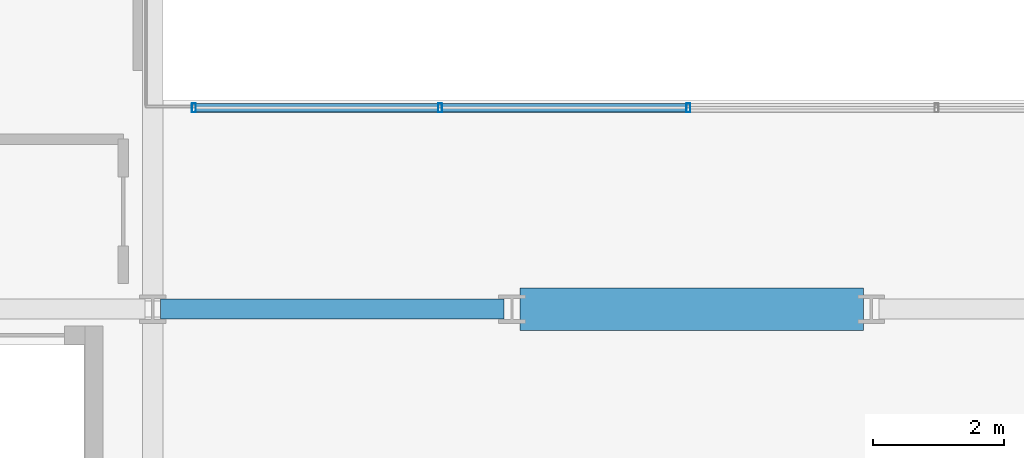
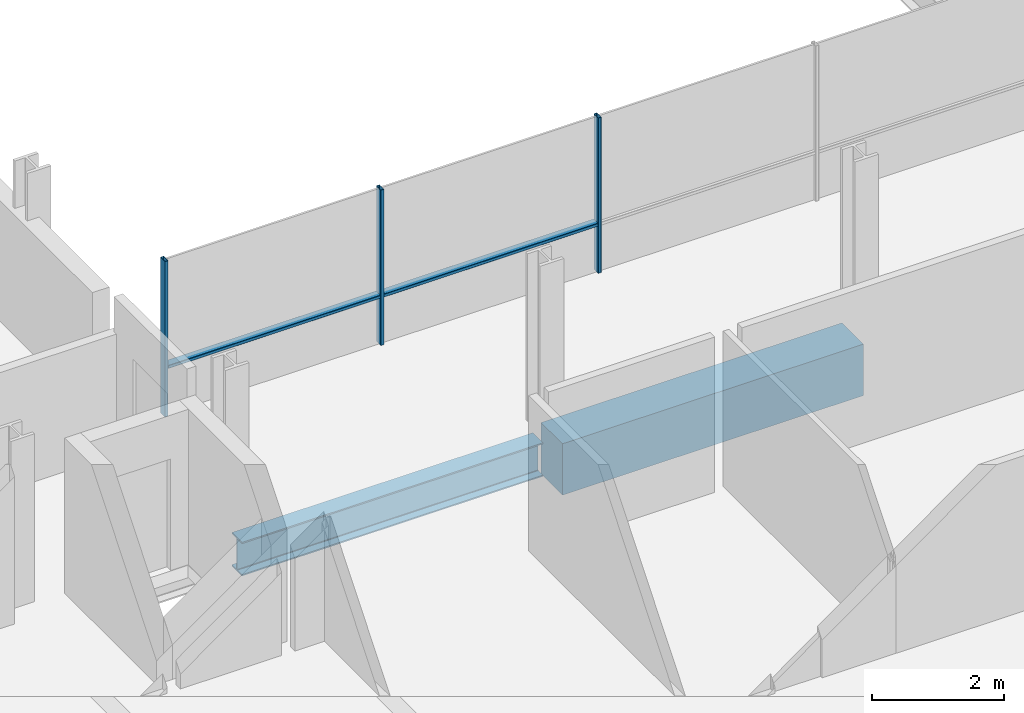
# One storey, part 4 of 39: 5 members, 2 beams, 1 element without a shape of its own.
"""IFC4 building model written with IfcOpenShell, lengths in metres."""

from ifc_helpers import new_model, si_unit, direction, frame, origin, origin_2d, place, context, subcontext, project, spatial, rectangle, hollow_rectangle, i_section, extrude, material, layer, layer_set, material_profile, profile_set, type_object, element, aggregate, save


model = new_model("IFC4")

# Units and contexts
model_context = context("Model", 3, precision=1e-05, world=origin(), true_north=direction((0.0, 1.0)))
body_context = subcontext(model_context, "Body", "Model", "MODEL_VIEW")
ifc_project = project(units=[si_unit("LENGTHUNIT", "METRE"), si_unit("AREAUNIT", "SQUARE_METRE"), si_unit("VOLUMEUNIT", "CUBIC_METRE"), si_unit("PLANEANGLEUNIT", "RADIAN"), si_unit("MASSUNIT", "GRAM", prefix="KILO")], contexts=[model_context])

# Site, building, storey
site_placement = place(None, origin())
site = spatial("IfcSite", under=ifc_project, at=site_placement, CompositionType="ELEMENT")
building_placement = place(site_placement, origin())
building = spatial("IfcBuilding", under=site, at=building_placement, Name="Brevholm Reach", CompositionType="ELEMENT")
storey_placement = place(building_placement, frame((0.0, 0.0, 77.60009765625)))
storey = spatial("IfcBuildingStorey", under=building, at=storey_placement, Name="L22", CompositionType="ELEMENT", Elevation=77.60009765625)

# Beams
ifc_material_1 = material(Name="Concrete C60/75", Category="concrete")
ifc_material_profile_1 = material_profile(ifc_material_1, rectangle(XDim=0.64990234375, YDim=0.949951171875, at=origin_2d()), Name="RC 650x950")
ifc_profile_set_1 = profile_set([ifc_material_profile_1], Name="Concrete C60/75")
beam_type_1 = type_object("IfcBeamType", Name="BM-CB650", PredefinedType="LINTEL", material=ifc_profile_set_1)
beam_1_placement = place(storey_placement, frame((27.3701171875, 10.0, -0.705078125), z_axis=(1.0, 0.0, 0.0), x_axis=(0.0, 1.0, 0.0)))
element("IfcBeam", 1, at=beam_1_placement, inside=storey, type_object=beam_type_1, Name="L22 CB-01 Framing Beam", PredefinedType="LINTEL", context=body_context, shape_type="SweptSolid", body=[
    extrude(rectangle(XDim=0.64990234375, YDim=0.949951171875, at=origin_2d()), origin(), (0.0, 0.0, 1.0), 5.259765625),
])
ifc_material_2 = material(Name="Structural Steel S355J2", Category="steel")
ifc_material_profile_2 = material_profile(ifc_material_2, i_section(OverallWidth=0.30712890625, OverallDepth=0.6201171875, WebThickness=0.01416015625, FlangeThickness=0.023681640625, FilletRadius=0.0166015625, at=origin_2d()), Name="UKB 610x305x179")
ifc_profile_set_2 = profile_set([ifc_material_profile_2], Name="Structural Steel S355J2")
beam_type_2 = type_object("IfcBeamType", Name="BM-UKB610H", PredefinedType="USERDEFINED", material=ifc_profile_set_2)
beam_2_placement = place(storey_placement, frame((21.8701171875, 10.0, -0.540283203125), z_axis=(1.0, 0.0, 0.0), x_axis=(0.0, 1.0, 0.0)))
element("IfcBeam", 2, at=beam_2_placement, inside=storey, type_object=beam_type_2, Name="L22 G-06 Framing Beam", ObjectType="GIRDER", PredefinedType="USERDEFINED", context=body_context, shape_type="SweptSolid", body=[
    extrude(i_section(OverallWidth=0.30712890625, OverallDepth=0.6201171875, WebThickness=0.01416015625, FlangeThickness=0.023681640625, FilletRadius=0.0166015625, at=origin_2d()), origin(), (0.0, 0.0, 1.0), 5.259765625),
])

# Curtain wall, members
ifc_material_3 = material(Name="Dark Anodised Aluminium 6063-T6 and Solar-Control Glass", Category="aluminium")
ifc_layer = layer(ifc_material_3, 0.139892578125)
ifc_layer_set = layer_set([ifc_layer], Name="Dark Anodised Aluminium 6063-T6 and Solar-Control Glass")
curtain_wall_type = type_object("IfcCurtainWallType", Name="CW-02", PredefinedType="NOTDEFINED", material=ifc_layer_set)
curtain_wall_placement = place(storey_placement, origin())
curtain_wall = element("IfcCurtainWall", 3, at=curtain_wall_placement, inside=storey, type_object=curtain_wall_type, Name="L22 Curtain Wall CW-02", PredefinedType="NOTDEFINED")
ifc_material_4 = material(Name="Dark Anodised Aluminium 6063-T6", Category="aluminium")
ifc_material_profile_3 = material_profile(ifc_material_4, hollow_rectangle(XDim=0.06005859375, YDim=0.139892578125, WallThickness=0.0048828125, InnerFilletRadius=0.0048828125, OuterFilletRadius=0.010009765625, at=origin_2d()), Name="RHS 140x60x5")
ifc_profile_set_3 = profile_set([ifc_material_profile_3], Name="Dark Anodised Aluminium 6063-T6")
member_type_1 = type_object("IfcMemberType", Name="CWM-140", PredefinedType="MULLION", material=ifc_profile_set_3)
member_1_placement = place(storey_placement, frame((22.3798828125, 13.080078125, 0.0), z_axis=(0.0, 0.0, 1.0), x_axis=(1.0, 0.0, 0.0)))
member_1 = element("IfcMember", 4, at=member_1_placement, type_object=member_type_1, Name="CM-140 Mullion 1", PredefinedType="MULLION", context=body_context, shape_type="SweptSolid", body=[
    extrude(hollow_rectangle(XDim=0.06005859375, YDim=0.139892578125, WallThickness=0.0048828125, InnerFilletRadius=0.0048828125, OuterFilletRadius=0.010009765625, at=origin_2d()), origin(), (0.0, 0.0, 1.0), 2.869873046875),
])
member_2_placement = place(storey_placement, frame((26.14990234375, 13.080078125, 0.0), z_axis=(0.0, 0.0, 1.0), x_axis=(1.0, 0.0, 0.0)))
member_2 = element("IfcMember", 5, at=member_2_placement, type_object=member_type_1, Name="CM-140 Mullion 2", PredefinedType="MULLION", context=body_context, shape_type="SweptSolid", body=[
    extrude(hollow_rectangle(XDim=0.06005859375, YDim=0.139892578125, WallThickness=0.0048828125, InnerFilletRadius=0.0048828125, OuterFilletRadius=0.010009765625, at=origin_2d()), origin(), (0.0, 0.0, 1.0), 2.869873046875),
])
member_3_placement = place(storey_placement, frame((29.949951171875, 13.080078125, 0.0), z_axis=(0.0, 0.0, 1.0), x_axis=(1.0, 0.0, 0.0)))
member_3 = element("IfcMember", 6, at=member_3_placement, type_object=member_type_1, Name="CM-140 Mullion 3", PredefinedType="MULLION", context=body_context, shape_type="SweptSolid", body=[
    extrude(hollow_rectangle(XDim=0.06005859375, YDim=0.139892578125, WallThickness=0.0048828125, InnerFilletRadius=0.0048828125, OuterFilletRadius=0.010009765625, at=origin_2d()), origin(), (0.0, 0.0, 1.0), 2.869873046875),
])
ifc_material_5 = material(Name="Dark Anodised Aluminium 6063-T6", Category="aluminium")
ifc_material_profile_4 = material_profile(ifc_material_5, hollow_rectangle(XDim=0.06005859375, YDim=0.139892578125, WallThickness=0.0048828125, InnerFilletRadius=0.0048828125, OuterFilletRadius=0.010009765625, at=origin_2d()), Name="RHS 140x60x5")
ifc_profile_set_4 = profile_set([ifc_material_profile_4], Name="Dark Anodised Aluminium 6063-T6")
member_type_2 = type_object("IfcMemberType", Name="CWT-140", PredefinedType="NOTDEFINED", material=ifc_profile_set_4)
member_4_placement = place(storey_placement, frame((22.409912109375, 13.080078125, 0.89990234375), z_axis=(1.0, 0.0, 0.0), x_axis=(0.0, 0.0, 1.0)))
member_4 = element("IfcMember", 7, at=member_4_placement, type_object=member_type_2, Name="CT-140 Transom 1.1", ObjectType="TRANSOM", PredefinedType="USERDEFINED", context=body_context, shape_type="SweptSolid", body=[
    extrude(hollow_rectangle(XDim=0.06005859375, YDim=0.139892578125, WallThickness=0.0048828125, InnerFilletRadius=0.0048828125, OuterFilletRadius=0.010009765625, at=origin_2d()), origin(), (0.0, 0.0, 1.0), 3.710205078125),
])
member_5_placement = place(storey_placement, frame((26.179931640625, 13.080078125, 0.89990234375), z_axis=(1.0, 0.0, 0.0), x_axis=(0.0, 0.0, 1.0)))
member_5 = element("IfcMember", 8, at=member_5_placement, type_object=member_type_2, Name="CT-140 Transom 2.1", ObjectType="TRANSOM", PredefinedType="USERDEFINED", context=body_context, shape_type="SweptSolid", body=[
    extrude(hollow_rectangle(XDim=0.06005859375, YDim=0.139892578125, WallThickness=0.0048828125, InnerFilletRadius=0.0048828125, OuterFilletRadius=0.010009765625, at=origin_2d()), origin(), (0.0, 0.0, 1.0), 3.739990234375),
])
aggregate(curtain_wall, [member_1, member_2, member_3, member_4, member_5])

save(model, "model.ifc")
